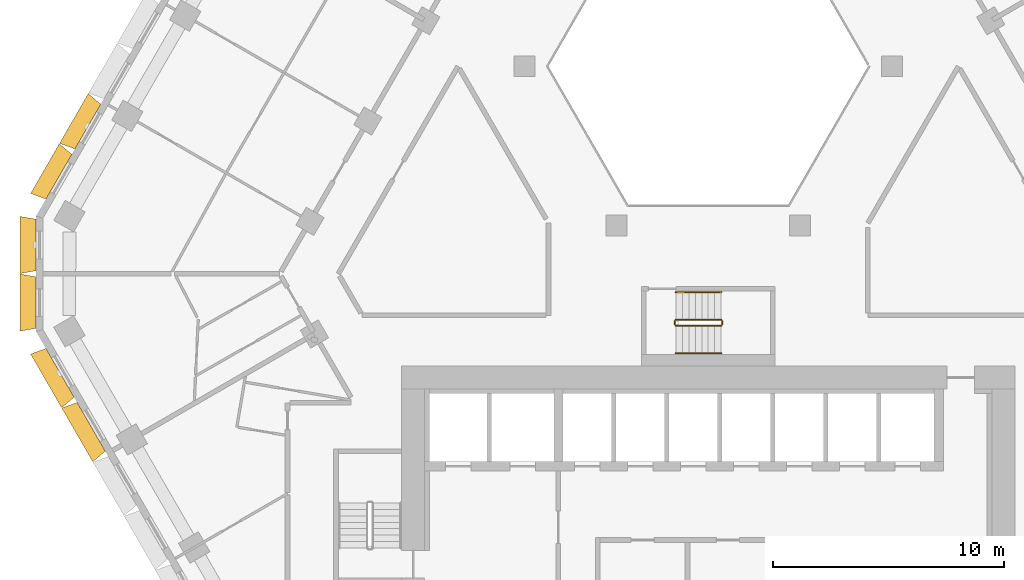
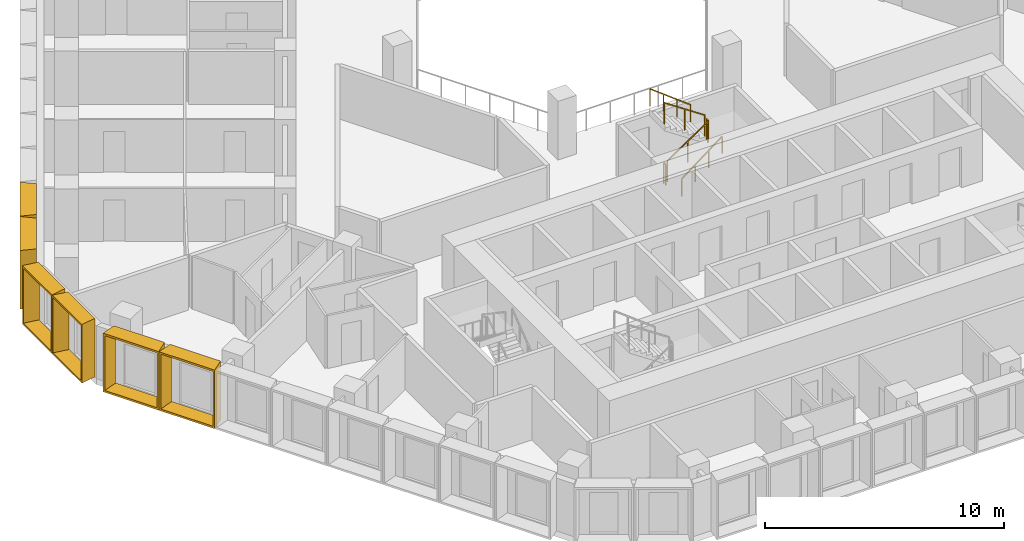
# One storey, part 16 of 18: 6 railings, 6 shading devices.
"""IFC4 building model written with IfcOpenShell, lengths in metres."""

from ifc_helpers import new_model, entity, si_unit, direction, frame, origin, origin_2d, place, context, subcontext, project, spatial, rectangle, extrude, source, transform, mapped, material, type_object, type_shapes, element, save


model = new_model("IFC4")

# Units and contexts
model_context = context("Model", 3, precision=1e-05, world=origin(), true_north=direction((0.0, 1.0)))
body_context = subcontext(model_context, "Body", "Model", "MODEL_VIEW")
ifc_project = project(units=[si_unit("LENGTHUNIT", "METRE"), si_unit("AREAUNIT", "SQUARE_METRE"), si_unit("VOLUMEUNIT", "CUBIC_METRE"), si_unit("PLANEANGLEUNIT", "RADIAN"), si_unit("MASSUNIT", "GRAM", prefix="KILO")], contexts=[model_context])

# Site, building, storey
site_placement = place(None, origin())
site = spatial("IfcSite", under=ifc_project, at=site_placement, CompositionType="ELEMENT")
building_placement = place(site_placement, origin())
building = spatial("IfcBuilding", under=site, at=building_placement, Name="Beryl Residences", CompositionType="ELEMENT")
storey_placement = place(building_placement, frame((0.0, 0.0, 99.0)))
storey = spatial("IfcBuildingStorey", under=building, at=storey_placement, Name="L30", CompositionType="ELEMENT", Elevation=99.0)

# Shading devices
ifc_material_1 = material(Name="Aluminium pale anodised", Category="aluminium")
shading_device_type_1 = type_object("IfcShadingDeviceType", Name="FR250-70A OUTER SKIN frame 700 mm deep, splay 10/10 deg, 2500 x 3000 mm cell", PredefinedType="USERDEFINED", material=ifc_material_1)
cartesian_point_1 = entity("IfcCartesianPoint", [-1.116455078125, 0.0])
cartesian_point_2 = entity("IfcCartesianPoint", [-1.03515625, 0.10009765625])
cartesian_point_3 = entity("IfcCartesianPoint", [-1.239990234375, 0.0])
cartesian_point_4 = entity("IfcCartesianPoint", [-1.15869140625, 0.10009765625])
shared_shape_1 = source(origin(), body_context, "Body", "SweptSolid", [
    entity("IfcExtrudedAreaSolidTapered", entity("IfcArbitraryProfileDefWithVoids", "AREA", None, entity("IfcPolyline", [cartesian_point_1, entity("IfcCartesianPoint", [1.116455078125, 0.0]), entity("IfcCartesianPoint", [1.116455078125, 3.0]), entity("IfcCartesianPoint", [-1.116455078125, 3.0]), cartesian_point_1]), [entity("IfcPolyline", [cartesian_point_2, entity("IfcCartesianPoint", [1.03515625, 0.10009765625]), entity("IfcCartesianPoint", [1.03515625, 2.89990234375]), entity("IfcCartesianPoint", [-1.03515625, 2.89990234375]), cartesian_point_2])]), entity("IfcAxis2Placement3D", entity("IfcCartesianPoint", [0.0, 0.0, 0.0]), entity("IfcDirection", [0.0, 1.0, 0.0]), entity("IfcDirection", [-1.0, 0.0, 0.0])), entity("IfcDirection", [0.0, 0.0, 1.0]), 0.699951171875, entity("IfcArbitraryProfileDefWithVoids", "AREA", None, entity("IfcPolyline", [cartesian_point_3, entity("IfcCartesianPoint", [1.239990234375, 0.0]), entity("IfcCartesianPoint", [1.239990234375, 3.0]), entity("IfcCartesianPoint", [-1.239990234375, 3.0]), cartesian_point_3]), [entity("IfcPolyline", [cartesian_point_4, entity("IfcCartesianPoint", [1.15869140625, 0.10009765625]), entity("IfcCartesianPoint", [1.15869140625, 2.89990234375]), entity("IfcCartesianPoint", [-1.15869140625, 2.89990234375]), cartesian_point_4])])),
])
type_shapes(shading_device_type_1, [shared_shape_1])
for number, where, z_axis, x_axis, name in (
    (1, (-29.156982421875, 0.25, 0.0), (0.0, 0.0, 1.0), (0.0, 1.0, 0.0), "FR250-70A frame L30 NW-SW 1"),
    (2, (-29.156982421875, -2.25, 0.0), (0.0, 0.0, 1.0), (0.0, 1.0, 0.0), "FR250-70A frame L30 NW-SW 2"),
):
    element("IfcShadingDevice", number, at=place(storey_placement, frame(where, z_axis=z_axis, x_axis=x_axis)), inside=storey, type_object=shading_device_type_1, Name=name, ObjectType="OUTER SKIN", PredefinedType="USERDEFINED", context=body_context, shape_type="MappedRepresentation", body=[
        mapped(shared_shape_1, transform((0.0, 0.0, 0.0))),
    ])
ifc_material_2 = material(Name="Aluminium pale anodised", Category="aluminium")
shading_device_type_2 = type_object("IfcShadingDeviceType", Name="FR251-70A OUTER SKIN frame 700 mm deep, splay 10/10 deg, 2510 x 3000 mm cell", PredefinedType="USERDEFINED", material=ifc_material_2)
cartesian_point_5 = entity("IfcCartesianPoint", [-1.12158203125, 0.0])
cartesian_point_6 = entity("IfcCartesianPoint", [-1.040283203125, 0.10009765625])
cartesian_point_7 = entity("IfcCartesianPoint", [-1.244873046875, 0.0])
cartesian_point_8 = entity("IfcCartesianPoint", [-1.16357421875, 0.10009765625])
shared_shape_2 = source(origin(), body_context, "Body", "SweptSolid", [
    entity("IfcExtrudedAreaSolidTapered", entity("IfcArbitraryProfileDefWithVoids", "AREA", None, entity("IfcPolyline", [cartesian_point_5, entity("IfcCartesianPoint", [1.12158203125, 0.0]), entity("IfcCartesianPoint", [1.12158203125, 3.0]), entity("IfcCartesianPoint", [-1.12158203125, 3.0]), cartesian_point_5]), [entity("IfcPolyline", [cartesian_point_6, entity("IfcCartesianPoint", [1.040283203125, 0.10009765625]), entity("IfcCartesianPoint", [1.040283203125, 2.89990234375]), entity("IfcCartesianPoint", [-1.040283203125, 2.89990234375]), cartesian_point_6])]), entity("IfcAxis2Placement3D", entity("IfcCartesianPoint", [0.0, 0.0, 0.0]), entity("IfcDirection", [0.0, 1.0, 0.0]), entity("IfcDirection", [-1.0, 0.0, 0.0])), entity("IfcDirection", [0.0, 0.0, 1.0]), 0.699951171875, entity("IfcArbitraryProfileDefWithVoids", "AREA", None, entity("IfcPolyline", [cartesian_point_7, entity("IfcCartesianPoint", [1.244873046875, 0.0]), entity("IfcCartesianPoint", [1.244873046875, 3.0]), entity("IfcCartesianPoint", [-1.244873046875, 3.0]), cartesian_point_7]), [entity("IfcPolyline", [cartesian_point_8, entity("IfcCartesianPoint", [1.16357421875, 0.10009765625]), entity("IfcCartesianPoint", [1.16357421875, 2.89990234375]), entity("IfcCartesianPoint", [-1.16357421875, 2.89990234375]), cartesian_point_8])])),
])
type_shapes(shading_device_type_2, [shared_shape_2])
for number, where, z_axis, x_axis, name in (
    (3, (-26.912109375, 5.387939453125, 0.0), (0.0, 0.0, 1.0), (0.5, 0.866025403784, 0.0), "FR251-70A frame L30 NW 9"),
    (4, (-28.16796875, 3.212890625, 0.0), (0.0, 0.0, 1.0), (0.5, 0.866025403784, 0.0), "FR251-70A frame L30 NW 10"),
):
    element("IfcShadingDevice", number, at=place(storey_placement, frame(where, z_axis=z_axis, x_axis=x_axis)), inside=storey, type_object=shading_device_type_2, Name=name, ObjectType="OUTER SKIN", PredefinedType="USERDEFINED", context=body_context, shape_type="MappedRepresentation", body=[
        mapped(shared_shape_2, transform((0.0, 0.0, 0.0))),
    ])
ifc_material_3 = material(Name="Aluminium pale anodised", Category="aluminium")
shading_device_type_3 = type_object("IfcShadingDeviceType", Name="FR271-70A OUTER SKIN frame 700 mm deep, splay 10/10 deg, 2710 x 3000 mm cell", PredefinedType="USERDEFINED", material=ifc_material_3)
cartesian_point_9 = entity("IfcCartesianPoint", [-1.221435546875, 0.0])
cartesian_point_10 = entity("IfcCartesianPoint", [-1.140380859375, 0.10009765625])
cartesian_point_11 = entity("IfcCartesianPoint", [-1.344970703125, 0.0])
cartesian_point_12 = entity("IfcCartesianPoint", [-1.263671875, 0.10009765625])
shared_shape_3 = source(origin(), body_context, "Body", "SweptSolid", [
    entity("IfcExtrudedAreaSolidTapered", entity("IfcArbitraryProfileDefWithVoids", "AREA", None, entity("IfcPolyline", [cartesian_point_9, entity("IfcCartesianPoint", [1.221435546875, 0.0]), entity("IfcCartesianPoint", [1.221435546875, 3.0]), entity("IfcCartesianPoint", [-1.221435546875, 3.0]), cartesian_point_9]), [entity("IfcPolyline", [cartesian_point_10, entity("IfcCartesianPoint", [1.140380859375, 0.10009765625]), entity("IfcCartesianPoint", [1.140380859375, 2.89990234375]), entity("IfcCartesianPoint", [-1.140380859375, 2.89990234375]), cartesian_point_10])]), entity("IfcAxis2Placement3D", entity("IfcCartesianPoint", [0.0, 0.0, 0.0]), entity("IfcDirection", [0.0, 1.0, 0.0]), entity("IfcDirection", [-1.0, 0.0, 0.0])), entity("IfcDirection", [0.0, 0.0, 1.0]), 0.699951171875, entity("IfcArbitraryProfileDefWithVoids", "AREA", None, entity("IfcPolyline", [cartesian_point_11, entity("IfcCartesianPoint", [1.344970703125, 0.0]), entity("IfcCartesianPoint", [1.344970703125, 3.0]), entity("IfcCartesianPoint", [-1.344970703125, 3.0]), cartesian_point_11]), [entity("IfcPolyline", [cartesian_point_12, entity("IfcCartesianPoint", [1.263671875, 0.10009765625]), entity("IfcCartesianPoint", [1.263671875, 2.89990234375]), entity("IfcCartesianPoint", [-1.263671875, 2.89990234375]), cartesian_point_12])])),
])
type_shapes(shading_device_type_3, [shared_shape_3])
for number, where, z_axis, x_axis, name in (
    (5, (-28.118896484375, -5.2958984375, 0.0), (0.0, 0.0, 1.0), (-0.5, 0.866025403784, 0.0), "FR271-70A frame L30 SW 1"),
    (6, (-26.76611328125, -7.639892578125, 0.0), (0.0, 0.0, 1.0), (-0.5, 0.866025403784, 0.0), "FR271-70A frame L30 SW 2"),
):
    element("IfcShadingDevice", number, at=place(storey_placement, frame(where, z_axis=z_axis, x_axis=x_axis)), inside=storey, type_object=shading_device_type_3, Name=name, ObjectType="OUTER SKIN", PredefinedType="USERDEFINED", context=body_context, shape_type="MappedRepresentation", body=[
        mapped(shared_shape_3, transform((0.0, 0.0, 0.0))),
    ])

# Railings
ifc_material_4 = material(Name="Stainless steel balustrade with glass infill", Category="steel")
railing_type_1 = type_object("IfcRailingType", Name="SG1 stair guard 1100 mm", PredefinedType="GUARDRAIL", material=ifc_material_4)
railing_1_placement = place(storey_placement, frame((-1.39990234375, -3.25, 0.1875)))
element("IfcRailing", 7, at=railing_1_placement, inside=storey, type_object=railing_type_1, Name="L30 ST-4 stair guard 1", PredefinedType="GUARDRAIL", context=body_context, shape_type="SweptSolid", body=[
    extrude(rectangle(XDim=0.048095703125, YDim=0.048095703125, at=origin_2d()), frame((0.0, 0.0, 1.076171875), z_axis=(0.830902050051, 0.0, 0.556418712142), x_axis=(0.0, 1.0, 0.0)), (0.0, 0.0, 1.0), 2.35888671875),
    extrude(rectangle(XDim=0.0419921875, YDim=0.0419921875, at=origin_2d()), origin(), (0.0, 0.0, 1.0), 1.052001953125),
    extrude(rectangle(XDim=0.0419921875, YDim=0.0419921875, at=origin_2d()), frame((0.97998046875, 0.0, 0.65625)), (0.0, 0.0, 1.0), 1.052001953125),
    extrude(rectangle(XDim=0.0419921875, YDim=0.0419921875, at=origin_2d()), frame((1.9599609375, 0.0, 1.3125)), (0.0, 0.0, 1.0), 1.052001953125),
])
railing_2_placement = place(storey_placement, frame((0.610107421875, -3.199951171875, 1.5)))
element("IfcRailing", 8, at=railing_2_placement, inside=storey, type_object=railing_type_1, Name="L30 ST-4 stair guard 2", PredefinedType="GUARDRAIL", context=body_context, shape_type="SweptSolid", body=[
    extrude(rectangle(XDim=0.048095703125, YDim=0.048095703125, at=origin_2d()), frame((0.0, 0.0, 1.076171875), z_axis=(0.0, 1.0, 0.0), x_axis=(-1.0, 0.0, 0.0)), (0.0, 0.0, 1.0), 0.14990234375),
    extrude(rectangle(XDim=0.0419921875, YDim=0.0419921875, at=origin_2d()), origin(), (0.0, 0.0, 1.0), 1.052001953125),
    extrude(rectangle(XDim=0.0419921875, YDim=0.0419921875, at=origin_2d()), frame((0.0, 0.14990234375, 0.0)), (0.0, 0.0, 1.0), 1.052001953125),
])
railing_3_placement = place(storey_placement, frame((0.56005859375, -3.0, 1.6875)))
element("IfcRailing", 9, at=railing_3_placement, inside=storey, type_object=railing_type_1, Name="L30 ST-4 stair guard 3", PredefinedType="GUARDRAIL", context=body_context, shape_type="SweptSolid", body=[
    extrude(rectangle(XDim=0.048095703125, YDim=0.048095703125, at=origin_2d()), frame((0.0, 0.0, 1.076171875), z_axis=(-0.830902050051, 0.0, 0.556418712142), x_axis=(0.0, -1.0, 0.0)), (0.0, 0.0, 1.0), 2.35888671875),
    extrude(rectangle(XDim=0.0419921875, YDim=0.0419921875, at=origin_2d()), origin(), (0.0, 0.0, 1.0), 1.052001953125),
    extrude(rectangle(XDim=0.0419921875, YDim=0.0419921875, at=origin_2d()), frame((-0.97998046875, 0.0, 0.65625)), (0.0, 0.0, 1.0), 1.052001953125),
    extrude(rectangle(XDim=0.0419921875, YDim=0.0419921875, at=origin_2d()), frame((-1.9599609375, 0.0, 1.3125)), (0.0, 0.0, 1.0), 1.052001953125),
])
railing_4_placement = place(storey_placement, frame((-1.449951171875, -3.199951171875, 0.0)))
element("IfcRailing", 10, at=railing_4_placement, inside=storey, type_object=railing_type_1, Name="L30 ST-4 stair guard 4", PredefinedType="GUARDRAIL", context=body_context, shape_type="SweptSolid", body=[
    extrude(rectangle(XDim=0.048095703125, YDim=0.048095703125, at=origin_2d()), frame((0.0, 0.0, 1.076171875), z_axis=(0.0, 1.0, 0.0), x_axis=(-1.0, 0.0, 0.0)), (0.0, 0.0, 1.0), 0.14990234375),
    extrude(rectangle(XDim=0.0419921875, YDim=0.0419921875, at=origin_2d()), origin(), (0.0, 0.0, 1.0), 1.052001953125),
    extrude(rectangle(XDim=0.0419921875, YDim=0.0419921875, at=origin_2d()), frame((0.0, 0.14990234375, 0.0)), (0.0, 0.0, 1.0), 1.052001953125),
])
ifc_material_5 = material(Name="Stainless steel handrail", Category="steel")
railing_type_2 = type_object("IfcRailingType", Name="SRL1 stair handrail 900 mm", PredefinedType="HANDRAIL", material=ifc_material_5)
railing_5_placement = place(storey_placement, frame((-1.39990234375, -4.449951171875, 0.1875)))
element("IfcRailing", 11, at=railing_5_placement, inside=storey, type_object=railing_type_2, Name="L30 ST-4 stair handrail 1", PredefinedType="HANDRAIL", context=body_context, shape_type="SweptSolid", body=[
    extrude(rectangle(XDim=0.048095703125, YDim=0.048095703125, at=origin_2d()), frame((0.0, 0.0, 0.8759765625), z_axis=(0.794121922505, 0.0, 0.607758481798), x_axis=(0.0, 1.0, 0.0)), (0.0, 0.0, 1.0), 2.468017578125),
    extrude(rectangle(XDim=0.0419921875, YDim=0.0419921875, at=origin_2d()), origin(), (0.0, 0.0, 1.0), 0.851806640625),
    extrude(rectangle(XDim=0.0419921875, YDim=0.0419921875, at=origin_2d()), frame((0.6533203125, 0.0, 0.5)), (0.0, 0.0, 1.0), 0.851806640625),
    extrude(rectangle(XDim=0.0419921875, YDim=0.0419921875, at=origin_2d()), frame((1.306640625, 0.0, 1.0)), (0.0, 0.0, 1.0), 0.851806640625),
    extrude(rectangle(XDim=0.0419921875, YDim=0.0419921875, at=origin_2d()), frame((1.9599609375, 0.0, 1.5)), (0.0, 0.0, 1.0), 0.851806640625),
])
railing_6_placement = place(storey_placement, frame((0.56005859375, -1.800048828125, 1.6875)))
element("IfcRailing", 12, at=railing_6_placement, inside=storey, type_object=railing_type_2, Name="L30 ST-4 stair handrail 2", PredefinedType="HANDRAIL", context=body_context, shape_type="SweptSolid", body=[
    extrude(rectangle(XDim=0.048095703125, YDim=0.048095703125, at=origin_2d()), frame((0.0, 0.0, 0.8759765625), z_axis=(-0.794121922505, 0.0, 0.607758481798), x_axis=(0.0, -1.0, 0.0)), (0.0, 0.0, 1.0), 2.468017578125),
    extrude(rectangle(XDim=0.0419921875, YDim=0.0419921875, at=origin_2d()), origin(), (0.0, 0.0, 1.0), 0.851806640625),
    extrude(rectangle(XDim=0.0419921875, YDim=0.0419921875, at=origin_2d()), frame((-0.6533203125, 0.0, 0.5)), (0.0, 0.0, 1.0), 0.851806640625),
    extrude(rectangle(XDim=0.0419921875, YDim=0.0419921875, at=origin_2d()), frame((-1.306640625, 0.0, 1.0)), (0.0, 0.0, 1.0), 0.851806640625),
    extrude(rectangle(XDim=0.0419921875, YDim=0.0419921875, at=origin_2d()), frame((-1.9599609375, 0.0, 1.5)), (0.0, 0.0, 1.0), 0.851806640625),
])

save(model, "model.ifc")
